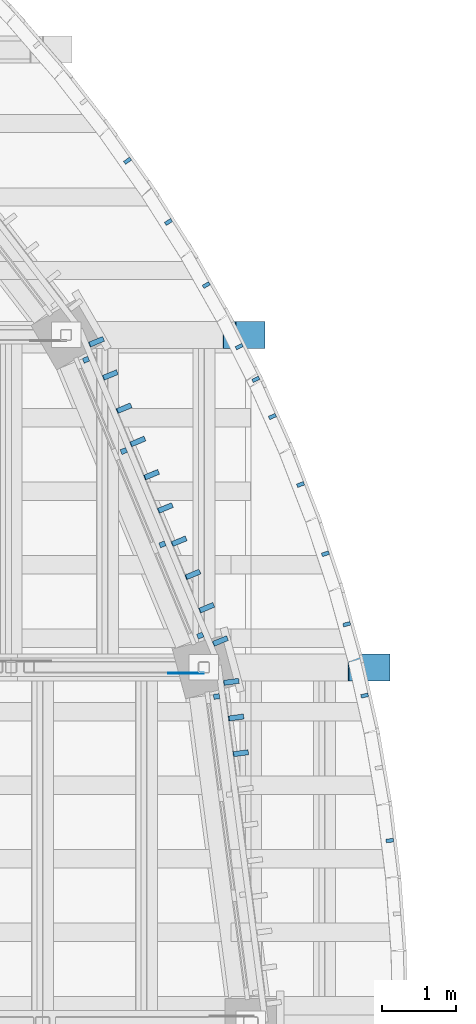
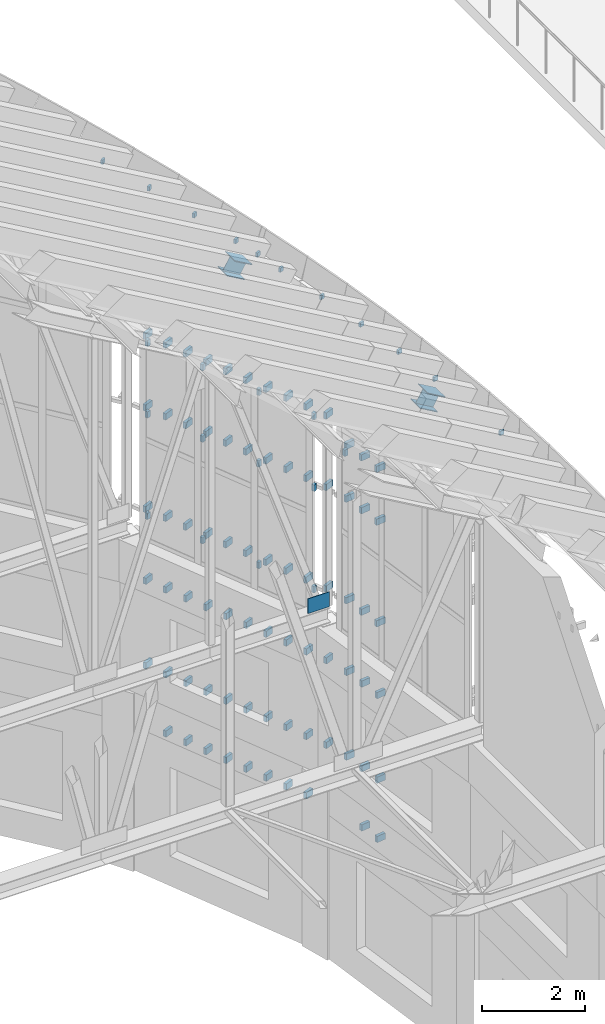
# One storey, part 78 of 105: 102 discrete accessories.
"""IFC4 building model written with IfcOpenShell, lengths in metres."""

from ifc_helpers import new_model, si_unit, direction, frame, origin, origin_2d, place, context, subcontext, project, spatial, polyline, rectangle, i_section, outline, extrude, material, material_profile, profile_set, type_object, element, save


model = new_model("IFC4")

# Units and contexts
model_context = context("Model", 3, precision=1e-05, world=origin(), true_north=direction((0.0, 1.0)))
body_context = subcontext(model_context, "Body", "Model", "MODEL_VIEW")
ifc_project = project(units=[si_unit("LENGTHUNIT", "METRE"), si_unit("AREAUNIT", "SQUARE_METRE"), si_unit("VOLUMEUNIT", "CUBIC_METRE"), si_unit("PLANEANGLEUNIT", "RADIAN"), si_unit("MASSUNIT", "GRAM", prefix="KILO")], contexts=[model_context])

# Site, building, storey
site_placement = place(None, origin())
site = spatial("IfcSite", under=ifc_project, at=site_placement, CompositionType="ELEMENT")
building_placement = place(site_placement, origin())
building = spatial("IfcBuilding", under=site, at=building_placement, Name="Wasatch Bagh Community Centre", CompositionType="ELEMENT")
storey_placement = place(building_placement, frame((0.0, 0.0, 16.800048828125)))
storey = spatial("IfcBuildingStorey", under=building, at=storey_placement, Name="L04", CompositionType="ELEMENT", Elevation=16.800048828125)

# Discrete accessories
ifc_material_1 = material(Name="ASTM A36 steel", Category="steel")
discrete_accessory_type_1 = type_object("IfcDiscreteAccessoryType", Name="MH fascia bracket", PredefinedType="BRACKET", material=ifc_material_1)
for number, where, z_axis, x_axis, name in (
    (1, (53.07373046875, 76.742919921875, 14.683349609375), (0.0, 0.0, 1.0), (0.817584813152, 0.575808191418, 0.0), "Fascia bracket 147"),
    (2, (53.6298828125, 75.91064453125, 14.363037109375), (0.0, 0.0, 1.0), (0.84485356525, 0.534997619887, 0.0), "Fascia bracket 148"),
    (3, (54.14453125, 75.052001953125, 14.06689453125), (0.0, 0.0, 1.0), (0.870086991109, 0.49289819223, 0.0), "Fascia bracket 149"),
    (4, (54.59326171875, 74.215087890625, 13.808349609375), (0.0, 0.0, 1.0), (0.893224301196, 0.449611329655, 0.0), "Fascia bracket 150"),
    (5, (54.81787109375, 73.76904296875, 13.6787109375), (0.0, 0.0, 1.0), (0.893224301196, 0.449611329655, 0.0), "Fascia bracket 151"),
    (6, (55.044189453125, 73.264404296875, 13.548583984375), (0.0, 0.0, 1.0), (0.914209755704, 0.405241314005, 0.0), "Fascia bracket 152"),
    (7, (55.42724609375, 72.339599609375, 13.327880859375), (0.0, 0.0, 1.0), (0.932992798835, 0.359895036535, 0.0), "Fascia bracket 153"),
    (8, (55.7646484375, 71.397216796875, 13.1337890625), (0.0, 0.0, 1.0), (0.949528180593, 0.313681740399, 0.0), "Fascia bracket 154"),
    (9, (56.05517578125, 70.439208984375, 12.96630859375), (0.0, 0.0, 1.0), (0.963776065795, 0.266712757475, 0.0), "Fascia bracket 155"),
    (10, (56.29833984375, 69.46826171875, 12.826171875), (0.0, 0.0, 1.0), (0.975702130039, 0.219101240157, 0.0), "Fascia bracket 156"),
    (11, (56.640380859375, 67.496337890625, 12.629150390625), (0.0, 0.0, 1.0), (0.992479534599, 0.122410675199, 0.0), "Fascia bracket 158"),
):
    element("IfcDiscreteAccessory", number, at=place(storey_placement, frame(where, z_axis=z_axis, x_axis=x_axis)), inside=storey, type_object=discrete_accessory_type_1, Name=name, PredefinedType="BRACKET", context=body_context, shape_type="SweptSolid", body=[
        extrude(rectangle(XDim=0.10009765625, YDim=0.050048828125, at=origin_2d()), origin(), (0.0, 0.0, 1.0), 0.10009765625),
    ])
discrete_accessory_type_2 = type_object("IfcDiscreteAccessoryType", Name="MH fin bracket", PredefinedType="BRACKET", material=ifc_material_1)
for number, where, z_axis, x_axis, name in (
    (12, (54.617919921875, 68.685302734375, 3.02490234375), (0.0, 0.0, 1.0), (-0.13052619222, 0.991444861374, 0.0), "Fin bracket 19.8.4"),
    (13, (54.617919921875, 68.685302734375, 4.425048828125), (0.0, 0.0, 1.0), (-0.13052619222, 0.991444861374, 0.0), "Fin bracket 19.8.5"),
    (14, (54.617919921875, 68.685302734375, 6.425048828125), (0.0, 0.0, 1.0), (-0.13052619222, 0.991444861374, 0.0), "Fin bracket 19.8.6"),
    (15, (54.553955078125, 69.170654296875, 3.02490234375), (0.0, 0.0, 1.0), (-0.13052619222, 0.991444861374, 0.0), "Fin bracket 19.9.4"),
    (16, (54.553955078125, 69.170654296875, 4.425048828125), (0.0, 0.0, 1.0), (-0.13052619222, 0.991444861374, 0.0), "Fin bracket 19.9.5"),
    (17, (54.553955078125, 69.170654296875, 6.425048828125), (0.0, 0.0, 1.0), (-0.13052619222, 0.991444861374, 0.0), "Fin bracket 19.9.6"),
    (18, (54.489990234375, 69.656005859375, 4.425048828125), (0.0, 0.0, 1.0), (-0.13052619222, 0.991444861374, 0.0), "Fin bracket 19.10.5"),
    (19, (54.489990234375, 69.656005859375, 6.425048828125), (0.0, 0.0, 1.0), (-0.13052619222, 0.991444861374, 0.0), "Fin bracket 19.10.6"),
    (20, (54.3408203125, 70.212890625, 4.425048828125), (0.0, 0.0, 1.0), (-0.382683432365, 0.923879532511, 0.0), "Fin bracket 20.1.5"),
    (21, (54.3408203125, 70.212890625, 6.425048828125), (0.0, 0.0, 1.0), (-0.382683432365, 0.923879532511, 0.0), "Fin bracket 20.1.6"),
    (22, (54.153564453125, 70.6650390625, 3.02490234375), (0.0, 0.0, 1.0), (-0.382683432365, 0.923879532511, 0.0), "Fin bracket 20.2.4"),
    (23, (54.153564453125, 70.6650390625, 4.425048828125), (0.0, 0.0, 1.0), (-0.382683432365, 0.923879532511, 0.0), "Fin bracket 20.2.5"),
    (24, (54.153564453125, 70.6650390625, 6.425048828125), (0.0, 0.0, 1.0), (-0.382683432365, 0.923879532511, 0.0), "Fin bracket 20.2.6"),
    (25, (53.966064453125, 71.117431640625, 3.02490234375), (0.0, 0.0, 1.0), (-0.382683432365, 0.923879532511, 0.0), "Fin bracket 20.3.4"),
    (26, (53.966064453125, 71.117431640625, 4.425048828125), (0.0, 0.0, 1.0), (-0.382683432365, 0.923879532511, 0.0), "Fin bracket 20.3.5"),
    (27, (53.966064453125, 71.117431640625, 6.425048828125), (0.0, 0.0, 1.0), (-0.382683432365, 0.923879532511, 0.0), "Fin bracket 20.3.6"),
    (28, (53.77880859375, 71.569580078125, 3.02490234375), (0.0, 0.0, 1.0), (-0.382683432365, 0.923879532511, 0.0), "Fin bracket 20.4.4"),
    (29, (53.77880859375, 71.569580078125, 4.425048828125), (0.0, 0.0, 1.0), (-0.382683432365, 0.923879532511, 0.0), "Fin bracket 20.4.5"),
    (30, (53.77880859375, 71.569580078125, 6.425048828125), (0.0, 0.0, 1.0), (-0.382683432365, 0.923879532511, 0.0), "Fin bracket 20.4.6"),
    (31, (53.591552734375, 72.021728515625, 3.02490234375), (0.0, 0.0, 1.0), (-0.382683432365, 0.923879532511, 0.0), "Fin bracket 20.5.4"),
    (32, (53.591552734375, 72.021728515625, 4.425048828125), (0.0, 0.0, 1.0), (-0.382683432365, 0.923879532511, 0.0), "Fin bracket 20.5.5"),
    (33, (53.591552734375, 72.021728515625, 6.425048828125), (0.0, 0.0, 1.0), (-0.382683432365, 0.923879532511, 0.0), "Fin bracket 20.5.6"),
    (34, (53.404296875, 72.473876953125, 3.02490234375), (0.0, 0.0, 1.0), (-0.382683432365, 0.923879532511, 0.0), "Fin bracket 20.6.4"),
    (35, (53.404296875, 72.473876953125, 4.425048828125), (0.0, 0.0, 1.0), (-0.382683432365, 0.923879532511, 0.0), "Fin bracket 20.6.5"),
    (36, (53.404296875, 72.473876953125, 6.425048828125), (0.0, 0.0, 1.0), (-0.382683432365, 0.923879532511, 0.0), "Fin bracket 20.6.6"),
    (37, (53.217041015625, 72.92626953125, 3.02490234375), (0.0, 0.0, 1.0), (-0.382683432365, 0.923879532511, 0.0), "Fin bracket 20.7.4"),
    (38, (53.217041015625, 72.92626953125, 4.425048828125), (0.0, 0.0, 1.0), (-0.382683432365, 0.923879532511, 0.0), "Fin bracket 20.7.5"),
    (39, (53.217041015625, 72.92626953125, 6.425048828125), (0.0, 0.0, 1.0), (-0.382683432365, 0.923879532511, 0.0), "Fin bracket 20.7.6"),
    (40, (53.029541015625, 73.37841796875, 3.02490234375), (0.0, 0.0, 1.0), (-0.382683432365, 0.923879532511, 0.0), "Fin bracket 20.8.4"),
    (41, (53.029541015625, 73.37841796875, 4.425048828125), (0.0, 0.0, 1.0), (-0.382683432365, 0.923879532511, 0.0), "Fin bracket 20.8.5"),
    (42, (53.029541015625, 73.37841796875, 6.425048828125), (0.0, 0.0, 1.0), (-0.382683432365, 0.923879532511, 0.0), "Fin bracket 20.8.6"),
    (43, (52.84228515625, 73.83056640625, 3.02490234375), (0.0, 0.0, 1.0), (-0.382683432365, 0.923879532511, 0.0), "Fin bracket 20.9.4"),
    (44, (52.84228515625, 73.83056640625, 4.425048828125), (0.0, 0.0, 1.0), (-0.382683432365, 0.923879532511, 0.0), "Fin bracket 20.9.5"),
    (45, (52.84228515625, 73.83056640625, 6.425048828125), (0.0, 0.0, 1.0), (-0.382683432365, 0.923879532511, 0.0), "Fin bracket 20.9.6"),
    (46, (52.655029296875, 74.28271484375, 4.425048828125), (0.0, 0.0, 1.0), (-0.382683432365, 0.923879532511, 0.0), "Fin bracket 20.10.5"),
    (47, (52.655029296875, 74.28271484375, 6.425048828125), (0.0, 0.0, 1.0), (-0.382683432365, 0.923879532511, 0.0), "Fin bracket 20.10.6"),
):
    element("IfcDiscreteAccessory", number, at=place(storey_placement, frame(where, z_axis=z_axis, x_axis=x_axis)), inside=storey, type_object=discrete_accessory_type_2, Name=name, PredefinedType="BRACKET", context=body_context, shape_type="SweptSolid", body=[
        extrude(rectangle(XDim=0.070068359375, YDim=0.199951171875, at=origin_2d()), origin(), (0.0, 0.0, 1.0), 0.14990234375),
    ])
discrete_accessory_type_3 = type_object("IfcDiscreteAccessoryType", Name="MH fin bracket (rail)", PredefinedType="BRACKET", material=ifc_material_1)
for number, where, z_axis, x_axis, name in (
    (48, (54.61279296875, 68.6845703125, 8.125), (0.0, 0.0, 1.0), (-0.13052619222, 0.991444861374, 0.0), "Fin bracket 19.8.r1"),
    (49, (54.549072265625, 69.169921875, 8.125), (0.0, 0.0, 1.0), (-0.13052619222, 0.991444861374, 0.0), "Fin bracket 19.9.r1"),
    (50, (54.485107421875, 69.6552734375, 8.125), (0.0, 0.0, 1.0), (-0.13052619222, 0.991444861374, 0.0), "Fin bracket 19.10.r1"),
    (51, (54.61279296875, 68.6845703125, 10.52490234375), (0.0, 0.0, 1.0), (-0.13052619222, 0.991444861374, 0.0), "Fin bracket 19.8.r2"),
    (52, (54.549072265625, 69.169921875, 10.52490234375), (0.0, 0.0, 1.0), (-0.13052619222, 0.991444861374, 0.0), "Fin bracket 19.9.r2"),
    (53, (54.485107421875, 69.6552734375, 10.52490234375), (0.0, 0.0, 1.0), (-0.13052619222, 0.991444861374, 0.0), "Fin bracket 19.10.r2"),
    (54, (54.61279296875, 68.6845703125, 11.77490234375), (0.0, 0.0, 1.0), (-0.13052619222, 0.991444861374, 0.0), "Fin bracket 19.8.r3"),
    (55, (54.549072265625, 69.169921875, 11.77490234375), (0.0, 0.0, 1.0), (-0.13052619222, 0.991444861374, 0.0), "Fin bracket 19.9.r3"),
    (56, (54.485107421875, 69.6552734375, 11.77490234375), (0.0, 0.0, 1.0), (-0.13052619222, 0.991444861374, 0.0), "Fin bracket 19.10.r3"),
    (57, (54.336181640625, 70.2109375, 8.125), (0.0, 0.0, 1.0), (-0.382683432365, 0.923879532511, 0.0), "Fin bracket 20.1.r1"),
    (58, (54.14892578125, 70.6630859375, 8.125), (0.0, 0.0, 1.0), (-0.382683432365, 0.923879532511, 0.0), "Fin bracket 20.2.r1"),
    (59, (53.961669921875, 71.115478515625, 8.125), (0.0, 0.0, 1.0), (-0.382683432365, 0.923879532511, 0.0), "Fin bracket 20.3.r1"),
    (60, (53.774169921875, 71.567626953125, 8.125), (0.0, 0.0, 1.0), (-0.382683432365, 0.923879532511, 0.0), "Fin bracket 20.4.r1"),
    (61, (53.5869140625, 72.019775390625, 8.125), (0.0, 0.0, 1.0), (-0.382683432365, 0.923879532511, 0.0), "Fin bracket 20.5.r1"),
    (62, (53.399658203125, 72.47216796875, 8.125), (0.0, 0.0, 1.0), (-0.382683432365, 0.923879532511, 0.0), "Fin bracket 20.6.r1"),
    (63, (53.21240234375, 72.92431640625, 8.125), (0.0, 0.0, 1.0), (-0.382683432365, 0.923879532511, 0.0), "Fin bracket 20.7.r1"),
    (64, (53.02490234375, 73.37646484375, 8.125), (0.0, 0.0, 1.0), (-0.382683432365, 0.923879532511, 0.0), "Fin bracket 20.8.r1"),
    (65, (52.837646484375, 73.82861328125, 8.125), (0.0, 0.0, 1.0), (-0.382683432365, 0.923879532511, 0.0), "Fin bracket 20.9.r1"),
    (66, (52.650390625, 74.281005859375, 8.125), (0.0, 0.0, 1.0), (-0.382683432365, 0.923879532511, 0.0), "Fin bracket 20.10.r1"),
    (67, (54.336181640625, 70.2109375, 10.52490234375), (0.0, 0.0, 1.0), (-0.382683432365, 0.923879532511, 0.0), "Fin bracket 20.1.r2"),
    (68, (54.14892578125, 70.6630859375, 10.52490234375), (0.0, 0.0, 1.0), (-0.382683432365, 0.923879532511, 0.0), "Fin bracket 20.2.r2"),
    (69, (53.961669921875, 71.115478515625, 10.52490234375), (0.0, 0.0, 1.0), (-0.382683432365, 0.923879532511, 0.0), "Fin bracket 20.3.r2"),
    (70, (53.774169921875, 71.567626953125, 10.52490234375), (0.0, 0.0, 1.0), (-0.382683432365, 0.923879532511, 0.0), "Fin bracket 20.4.r2"),
    (71, (53.5869140625, 72.019775390625, 10.52490234375), (0.0, 0.0, 1.0), (-0.382683432365, 0.923879532511, 0.0), "Fin bracket 20.5.r2"),
    (72, (53.399658203125, 72.47216796875, 10.52490234375), (0.0, 0.0, 1.0), (-0.382683432365, 0.923879532511, 0.0), "Fin bracket 20.6.r2"),
    (73, (53.21240234375, 72.92431640625, 10.52490234375), (0.0, 0.0, 1.0), (-0.382683432365, 0.923879532511, 0.0), "Fin bracket 20.7.r2"),
    (74, (53.02490234375, 73.37646484375, 10.52490234375), (0.0, 0.0, 1.0), (-0.382683432365, 0.923879532511, 0.0), "Fin bracket 20.8.r2"),
    (75, (52.837646484375, 73.82861328125, 10.52490234375), (0.0, 0.0, 1.0), (-0.382683432365, 0.923879532511, 0.0), "Fin bracket 20.9.r2"),
    (76, (52.650390625, 74.281005859375, 10.52490234375), (0.0, 0.0, 1.0), (-0.382683432365, 0.923879532511, 0.0), "Fin bracket 20.10.r2"),
    (77, (54.336181640625, 70.2109375, 12.215087890625), (0.0, 0.0, 1.0), (-0.382683432365, 0.923879532511, 0.0), "Fin bracket 20.1.r3"),
    (78, (54.14892578125, 70.6630859375, 12.215087890625), (0.0, 0.0, 1.0), (-0.382683432365, 0.923879532511, 0.0), "Fin bracket 20.2.r3"),
    (79, (53.961669921875, 71.115478515625, 12.215087890625), (0.0, 0.0, 1.0), (-0.382683432365, 0.923879532511, 0.0), "Fin bracket 20.3.r3"),
    (80, (53.774169921875, 71.567626953125, 12.215087890625), (0.0, 0.0, 1.0), (-0.382683432365, 0.923879532511, 0.0), "Fin bracket 20.4.r3"),
    (81, (53.5869140625, 72.019775390625, 12.215087890625), (0.0, 0.0, 1.0), (-0.382683432365, 0.923879532511, 0.0), "Fin bracket 20.5.r3"),
    (82, (53.399658203125, 72.47216796875, 12.215087890625), (0.0, 0.0, 1.0), (-0.382683432365, 0.923879532511, 0.0), "Fin bracket 20.6.r3"),
    (83, (53.21240234375, 72.92431640625, 12.215087890625), (0.0, 0.0, 1.0), (-0.382683432365, 0.923879532511, 0.0), "Fin bracket 20.7.r3"),
    (84, (53.02490234375, 73.37646484375, 12.215087890625), (0.0, 0.0, 1.0), (-0.382683432365, 0.923879532511, 0.0), "Fin bracket 20.8.r3"),
    (85, (52.837646484375, 73.82861328125, 12.215087890625), (0.0, 0.0, 1.0), (-0.382683432365, 0.923879532511, 0.0), "Fin bracket 20.9.r3"),
    (86, (52.650390625, 74.281005859375, 12.215087890625), (0.0, 0.0, 1.0), (-0.382683432365, 0.923879532511, 0.0), "Fin bracket 20.10.r3"),
):
    element("IfcDiscreteAccessory", number, at=place(storey_placement, frame(where, z_axis=z_axis, x_axis=x_axis)), inside=storey, type_object=discrete_accessory_type_3, Name=name, PredefinedType="BRACKET", context=body_context, shape_type="SweptSolid", body=[
        extrude(rectangle(XDim=0.070068359375, YDim=0.2099609375, at=origin_2d()), origin(), (0.0, 0.0, 1.0), 0.14990234375),
    ])
discrete_accessory_type_4 = type_object("IfcDiscreteAccessoryType", Name="MH fin rail stand-off", PredefinedType="BRACKET", material=ifc_material_1)
for number, where, z_axis, x_axis, name in (
    (87, (54.284423828125, 69.45556640625, 11.77490234375), (0.0, 0.0, 1.0), (-0.13052619222, 0.991444861374, 0.0), "Rail stand-off 19.3.4"),
    (88, (54.0625, 70.283447265625, 8.125), (0.0, 0.0, 1.0), (-0.382683432365, 0.923879532511, 0.0), "Rail stand-off 20.1.1"),
    (89, (53.54833984375, 71.525146484375, 8.125), (0.0, 0.0, 1.0), (-0.382683432365, 0.923879532511, 0.0), "Rail stand-off 20.1.2"),
    (90, (53.0224609375, 72.79443359375, 8.125), (0.0, 0.0, 1.0), (-0.382683432365, 0.923879532511, 0.0), "Rail stand-off 20.1.3"),
    (91, (52.50830078125, 74.0361328125, 8.125), (0.0, 0.0, 1.0), (-0.382683432365, 0.923879532511, 0.0), "Rail stand-off 20.1.4"),
    (92, (54.0625, 70.283447265625, 10.52490234375), (0.0, 0.0, 1.0), (-0.382683432365, 0.923879532511, 0.0), "Rail stand-off 20.2.1"),
    (93, (53.54833984375, 71.525146484375, 10.52490234375), (0.0, 0.0, 1.0), (-0.382683432365, 0.923879532511, 0.0), "Rail stand-off 20.2.2"),
    (94, (53.0224609375, 72.79443359375, 10.52490234375), (0.0, 0.0, 1.0), (-0.382683432365, 0.923879532511, 0.0), "Rail stand-off 20.2.3"),
    (95, (52.50830078125, 74.0361328125, 10.52490234375), (0.0, 0.0, 1.0), (-0.382683432365, 0.923879532511, 0.0), "Rail stand-off 20.2.4"),
    (96, (54.0625, 70.283447265625, 12.215087890625), (0.0, 0.0, 1.0), (-0.382683432365, 0.923879532511, 0.0), "Rail stand-off 20.3.1"),
    (97, (53.54833984375, 71.525146484375, 12.215087890625), (0.0, 0.0, 1.0), (-0.382683432365, 0.923879532511, 0.0), "Rail stand-off 20.3.2"),
    (98, (53.0224609375, 72.79443359375, 12.215087890625), (0.0, 0.0, 1.0), (-0.382683432365, 0.923879532511, 0.0), "Rail stand-off 20.3.3"),
    (99, (52.50830078125, 74.0361328125, 12.215087890625), (0.0, 0.0, 1.0), (-0.382683432365, 0.923879532511, 0.0), "Rail stand-off 20.3.4"),
):
    element("IfcDiscreteAccessory", number, at=place(storey_placement, frame(where, z_axis=z_axis, x_axis=x_axis)), inside=storey, type_object=discrete_accessory_type_4, Name=name, PredefinedType="BRACKET", context=body_context, shape_type="SweptSolid", body=[
        extrude(rectangle(XDim=0.070068359375, YDim=0.080078125, at=origin_2d()), origin(), (0.0, 0.0, 1.0), 0.14990234375),
    ])
ifc_material_2 = material(Name="ASTM A992 Grade 50 steel", Category="steel")
ifc_material_profile = material_profile(ifc_material_2, i_section(OverallWidth=0.368408203125, OverallDepth=0.355712890625, WebThickness=0.01123046875, FlangeThickness=0.01806640625, at=origin_2d()), Name="W14x90")
ifc_profile_set = profile_set([ifc_material_profile], Name="ASTM A992 Grade 50 steel")
discrete_accessory_type_5 = type_object("IfcDiscreteAccessoryType", Name="MH steel truss tail W14x90", PredefinedType="BRACKET", material=ifc_profile_set)
discrete_accessory_1_placement = place(storey_placement, frame((56.162841796875, 69.852783203125, 12.271484375), z_axis=(0.866032067792, 0.0, -0.499988457423), x_axis=(0.0, 1.0, 0.0)))
element("IfcDiscreteAccessory", 100, at=discrete_accessory_1_placement, inside=storey, type_object=discrete_accessory_type_5, Name="Truss tail TN1", PredefinedType="BRACKET", context=body_context, shape_type="SweptSolid", body=[
    extrude(i_section(OverallWidth=0.368408203125, OverallDepth=0.355712890625, WebThickness=0.01123046875, FlangeThickness=0.01806640625, at=origin_2d()), origin(), (0.0, 0.0, 1.0), 0.4501953125),
])
discrete_accessory_2_placement = place(storey_placement, frame((54.4619140625, 74.375, 13.25341796875), z_axis=(0.866131372301, 0.0, -0.499816412211), x_axis=(0.0, 1.0, 0.0)))
element("IfcDiscreteAccessory", 101, at=discrete_accessory_2_placement, inside=storey, type_object=discrete_accessory_type_5, Name="Truss tail TN2", PredefinedType="BRACKET", context=body_context, shape_type="SweptSolid", body=[
    extrude(i_section(OverallWidth=0.368408203125, OverallDepth=0.355712890625, WebThickness=0.01123046875, FlangeThickness=0.01806640625, at=origin_2d()), origin(), (0.0, 0.0, 1.0), 0.449951171875),
])
discrete_accessory_3_placement = place(storey_placement, frame((53.624755859375, 69.76416015625, 8.071044921875), z_axis=(0.0, -1.0, 0.0), x_axis=(1.0, 0.0, 0.0)))
element("IfcDiscreteAccessory", 102, at=discrete_accessory_3_placement, inside=storey, Name="Gusset plate", PredefinedType="BRACKET", context=body_context, shape_type="SweptSolid", body=[
    extrude(outline(polyline([(0.0, 0.0), (0.486328125, 0.0), (0.486328125, 0.35009765625), (0.0, 0.35009765625), (0.0, 0.0)])), origin(), (0.0, 0.0, -1.0), 0.011962890625),
])

save(model, "model.ifc")
